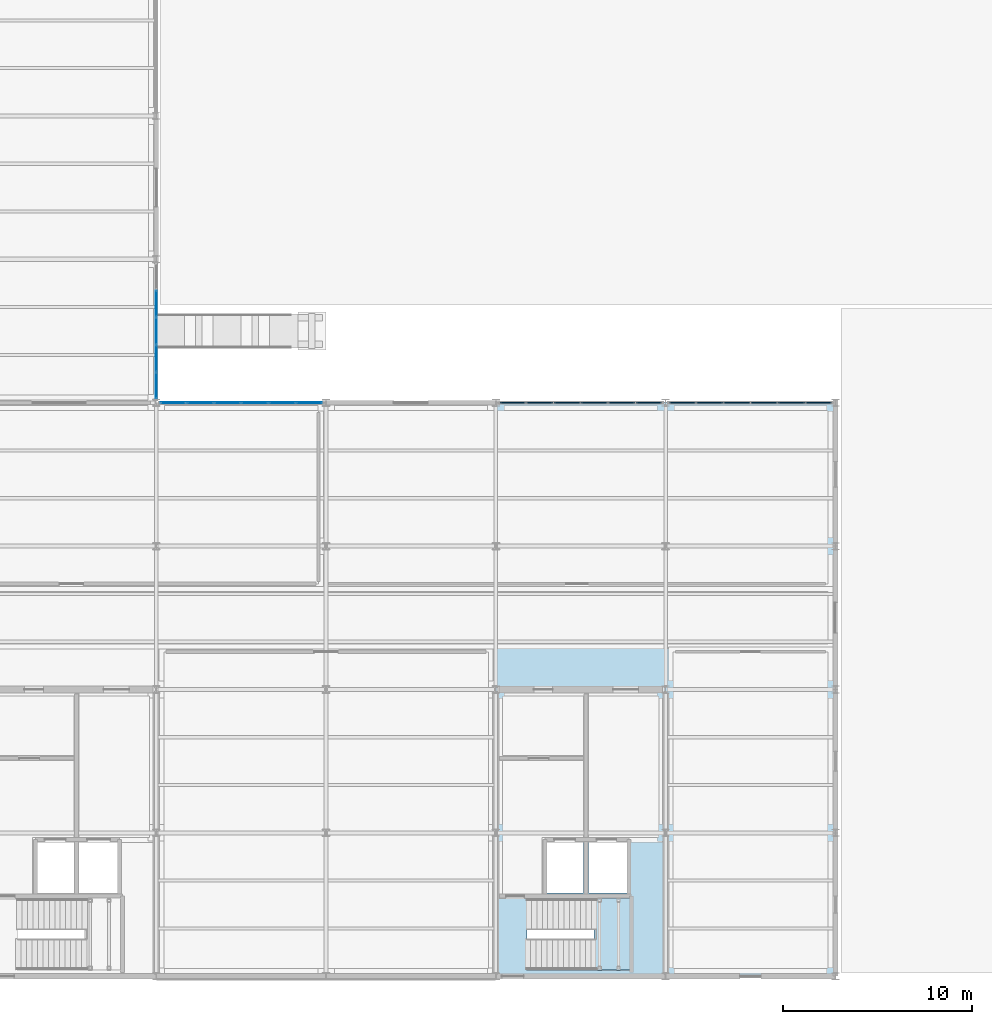
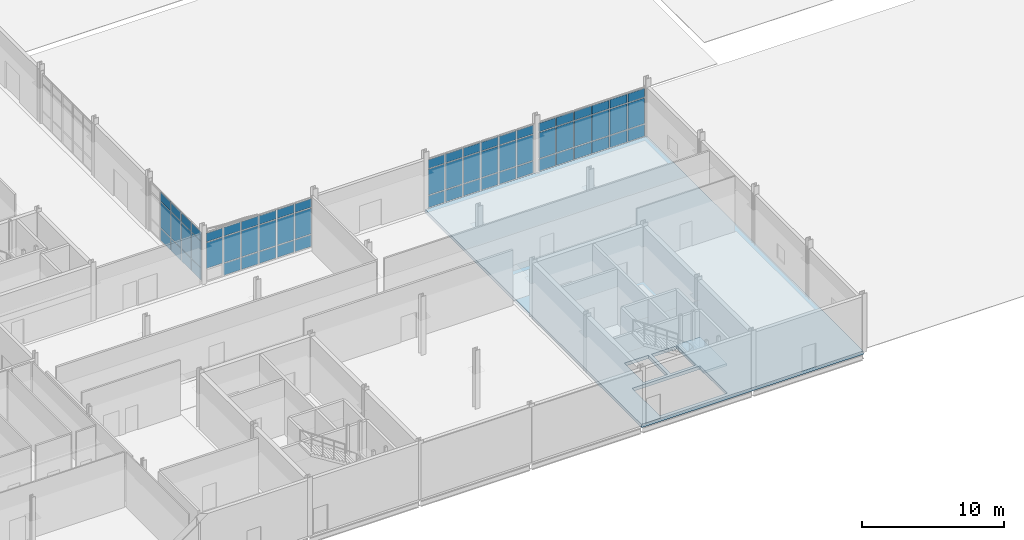
# One storey, part 125 of 161: 65 plates, 2 slabs, 5 elements without a shape of their own.
"""IFC4 building model written with IfcOpenShell, lengths in metres."""

from ifc_helpers import new_model, si_unit, direction, frame, origin, origin_2d, place, context, subcontext, project, spatial, polyline, rectangle, outline, extrude, material, layer, layer_set, type_object, element, aggregate, save


model = new_model("IFC4")

# Units and contexts
model_context = context("Model", 3, precision=1e-05, world=origin(), true_north=direction((0.0, 1.0)))
body_context = subcontext(model_context, "Body", "Model", "MODEL_VIEW")
ifc_project = project(units=[si_unit("LENGTHUNIT", "METRE"), si_unit("AREAUNIT", "SQUARE_METRE"), si_unit("VOLUMEUNIT", "CUBIC_METRE"), si_unit("PLANEANGLEUNIT", "RADIAN"), si_unit("MASSUNIT", "GRAM", prefix="KILO")], contexts=[model_context])

# Site, building, storey
site_placement = place(None, origin())
site = spatial("IfcSite", under=ifc_project, at=site_placement, CompositionType="ELEMENT")
building_placement = place(site_placement, origin())
building = spatial("IfcBuilding", under=site, at=building_placement, Name="Caisbarro Railhouse Central Library", CompositionType="ELEMENT")
storey_placement = place(building_placement, origin())
storey = spatial("IfcBuildingStorey", under=building, at=storey_placement, Name="L00", CompositionType="ELEMENT", Elevation=0.0)

# Curtain wall, plates
ifc_material_1 = material(Name="Anodised architectural aluminium", Category="aluminium")
curtain_wall_type_1 = type_object("IfcCurtainWallType", Name="CW-CW01", PredefinedType="NOTDEFINED", material=ifc_material_1)
curtain_wall_1_placement = place(storey_placement, origin())
curtain_wall_1 = element("IfcCurtainWall", 1, at=curtain_wall_1_placement, inside=storey, type_object=curtain_wall_type_1, Name="CW01 curtain wall L00 #23", PredefinedType="NOTDEFINED")
ifc_material_2 = material(Name="Double low-e laminated solar-control glass", Category="glass")
ifc_layer_1 = layer(ifc_material_2, 0.0380859375, Name="Double low-e laminated solar-control glass")
ifc_layer_set_1 = layer_set([ifc_layer_1], Name="Double low-e laminated solar-control glass")
plate_type_1 = type_object("IfcPlateType", Name="CWP-CP38", PredefinedType="CURTAIN_PANEL", material=ifc_layer_set_1)
plate_1_placement = place(storey_placement, frame((72.0, 31.306640625, 0.06494140625), z_axis=(0.0, 0.0, 1.0), x_axis=(0.0, 1.0, 0.0)))
plate_1 = element("IfcPlate", 2, at=plate_1_placement, type_object=plate_type_1, Name="CW01 panel 1.1", PredefinedType="CURTAIN_PANEL", context=body_context, shape_type="SweptSolid", body=[
    extrude(rectangle(XDim=1.343505859375, YDim=0.0380859375, at=origin_2d()), origin(), (0.0, 0.0, 1.0), 1.0224609375),
])
plate_2_placement = place(storey_placement, frame((72.0, 31.306640625, 1.15234375), z_axis=(0.0, 0.0, 1.0), x_axis=(0.0, 1.0, 0.0)))
plate_2 = element("IfcPlate", 3, at=plate_2_placement, type_object=plate_type_1, Name="CW01 panel 1.2", PredefinedType="CURTAIN_PANEL", context=body_context, shape_type="SweptSolid", body=[
    extrude(rectangle(XDim=1.343505859375, YDim=0.0380859375, at=origin_2d()), origin(), (0.0, 0.0, 1.0), 2.215087890625),
])
plate_3_placement = place(storey_placement, frame((72.0, 31.306640625, 3.4326171875), z_axis=(0.0, 0.0, 1.0), x_axis=(0.0, 1.0, 0.0)))
plate_3 = element("IfcPlate", 4, at=plate_3_placement, type_object=plate_type_1, Name="CW01 panel 1.3", PredefinedType="CURTAIN_PANEL", context=body_context, shape_type="SweptSolid", body=[
    extrude(rectangle(XDim=1.343505859375, YDim=0.0380859375, at=origin_2d()), origin(), (0.0, 0.0, 1.0), 0.75244140625),
])
plate_4_placement = place(storey_placement, frame((72.0, 32.743896484375, 0.06494140625), z_axis=(0.0, 0.0, 1.0), x_axis=(0.0, 1.0, 0.0)))
plate_4 = element("IfcPlate", 5, at=plate_4_placement, type_object=plate_type_1, Name="CW01 panel 2.1", PredefinedType="CURTAIN_PANEL", context=body_context, shape_type="SweptSolid", body=[
    extrude(rectangle(XDim=1.381103515625, YDim=0.0380859375, at=origin_2d()), origin(), (0.0, 0.0, 1.0), 1.0224609375),
])
plate_5_placement = place(storey_placement, frame((72.0, 32.743896484375, 1.15234375), z_axis=(0.0, 0.0, 1.0), x_axis=(0.0, 1.0, 0.0)))
plate_5 = element("IfcPlate", 6, at=plate_5_placement, type_object=plate_type_1, Name="CW01 panel 2.2", PredefinedType="CURTAIN_PANEL", context=body_context, shape_type="SweptSolid", body=[
    extrude(rectangle(XDim=1.381103515625, YDim=0.0380859375, at=origin_2d()), origin(), (0.0, 0.0, 1.0), 2.215087890625),
])
plate_6_placement = place(storey_placement, frame((72.0, 32.743896484375, 3.4326171875), z_axis=(0.0, 0.0, 1.0), x_axis=(0.0, 1.0, 0.0)))
plate_6 = element("IfcPlate", 7, at=plate_6_placement, type_object=plate_type_1, Name="CW01 panel 2.3", PredefinedType="CURTAIN_PANEL", context=body_context, shape_type="SweptSolid", body=[
    extrude(rectangle(XDim=1.381103515625, YDim=0.0380859375, at=origin_2d()), origin(), (0.0, 0.0, 1.0), 0.75244140625),
])
plate_7_placement = place(storey_placement, frame((72.0, 34.199951171875, 0.06494140625), z_axis=(0.0, 0.0, 1.0), x_axis=(0.0, 1.0, 0.0)))
plate_7 = element("IfcPlate", 8, at=plate_7_placement, type_object=plate_type_1, Name="CW01 panel 3.1", PredefinedType="CURTAIN_PANEL", context=body_context, shape_type="SweptSolid", body=[
    extrude(rectangle(XDim=1.381103515625, YDim=0.0380859375, at=origin_2d()), origin(), (0.0, 0.0, 1.0), 1.0224609375),
])
plate_8_placement = place(storey_placement, frame((72.0, 34.199951171875, 1.15234375), z_axis=(0.0, 0.0, 1.0), x_axis=(0.0, 1.0, 0.0)))
plate_8 = element("IfcPlate", 9, at=plate_8_placement, type_object=plate_type_1, Name="CW01 panel 3.2", PredefinedType="CURTAIN_PANEL", context=body_context, shape_type="SweptSolid", body=[
    extrude(rectangle(XDim=1.381103515625, YDim=0.0380859375, at=origin_2d()), origin(), (0.0, 0.0, 1.0), 2.215087890625),
])
plate_9_placement = place(storey_placement, frame((72.0, 34.199951171875, 3.4326171875), z_axis=(0.0, 0.0, 1.0), x_axis=(0.0, 1.0, 0.0)))
plate_9 = element("IfcPlate", 10, at=plate_9_placement, type_object=plate_type_1, Name="CW01 panel 3.3", PredefinedType="CURTAIN_PANEL", context=body_context, shape_type="SweptSolid", body=[
    extrude(rectangle(XDim=1.381103515625, YDim=0.0380859375, at=origin_2d()), origin(), (0.0, 0.0, 1.0), 0.75244140625),
])
plate_10_placement = place(storey_placement, frame((72.0, 35.656005859375, 0.06494140625), z_axis=(0.0, 0.0, 1.0), x_axis=(0.0, 1.0, 0.0)))
plate_10 = element("IfcPlate", 11, at=plate_10_placement, type_object=plate_type_1, Name="CW01 panel 4.1", PredefinedType="CURTAIN_PANEL", context=body_context, shape_type="SweptSolid", body=[
    extrude(rectangle(XDim=1.381103515625, YDim=0.0380859375, at=origin_2d()), origin(), (0.0, 0.0, 1.0), 1.0224609375),
])
plate_11_placement = place(storey_placement, frame((72.0, 35.656005859375, 1.15234375), z_axis=(0.0, 0.0, 1.0), x_axis=(0.0, 1.0, 0.0)))
plate_11 = element("IfcPlate", 12, at=plate_11_placement, type_object=plate_type_1, Name="CW01 panel 4.2", PredefinedType="CURTAIN_PANEL", context=body_context, shape_type="SweptSolid", body=[
    extrude(rectangle(XDim=1.381103515625, YDim=0.0380859375, at=origin_2d()), origin(), (0.0, 0.0, 1.0), 2.215087890625),
])
plate_12_placement = place(storey_placement, frame((72.0, 35.656005859375, 3.4326171875), z_axis=(0.0, 0.0, 1.0), x_axis=(0.0, 1.0, 0.0)))
plate_12 = element("IfcPlate", 13, at=plate_12_placement, type_object=plate_type_1, Name="CW01 panel 4.3", PredefinedType="CURTAIN_PANEL", context=body_context, shape_type="SweptSolid", body=[
    extrude(rectangle(XDim=1.381103515625, YDim=0.0380859375, at=origin_2d()), origin(), (0.0, 0.0, 1.0), 0.75244140625),
])
aggregate(curtain_wall_1, [plate_1, plate_2, plate_3, plate_4, plate_5, plate_6, plate_7, plate_8, plate_9, plate_10, plate_11, plate_12])

curtain_wall_type_2 = type_object("IfcCurtainWallType", Name="CW-CW02", PredefinedType="NOTDEFINED", material=ifc_material_1)
curtain_wall_2_placement = place(storey_placement, origin())
curtain_wall_2 = element("IfcCurtainWall", 14, at=curtain_wall_2_placement, inside=storey, type_object=curtain_wall_type_2, Name="CW02 curtain wall L00 #51", PredefinedType="NOTDEFINED")
plate_13_placement = place(storey_placement, frame((72.902099609375, 30.39990234375, 1.157470703125), z_axis=(0.0, 0.0, 1.0), x_axis=(1.0, 0.0, 0.0)))
plate_13 = element("IfcPlate", 15, at=plate_13_placement, type_object=plate_type_1, Name="CW02 panel 1.2", PredefinedType="CURTAIN_PANEL", context=body_context, shape_type="SweptSolid", body=[
    extrude(rectangle(XDim=1.334228515625, YDim=0.0380859375, at=origin_2d()), origin(), (0.0, 0.0, 1.0), 2.205078125),
])
plate_14_placement = place(storey_placement, frame((72.902099609375, 30.39990234375, 3.4375), z_axis=(0.0, 0.0, 1.0), x_axis=(1.0, 0.0, 0.0)))
plate_14 = element("IfcPlate", 16, at=plate_14_placement, type_object=plate_type_1, Name="CW02 panel 1.3", PredefinedType="CURTAIN_PANEL", context=body_context, shape_type="SweptSolid", body=[
    extrude(rectangle(XDim=1.334228515625, YDim=0.0380859375, at=origin_2d()), origin(), (0.0, 0.0, 1.0), 0.737548828125),
])
plate_15_placement = place(storey_placement, frame((74.330078125, 30.39990234375, 0.0751953125), z_axis=(0.0, 0.0, 1.0), x_axis=(1.0, 0.0, 0.0)))
plate_15 = element("IfcPlate", 17, at=plate_15_placement, type_object=plate_type_1, Name="CW02 panel 2.1", PredefinedType="CURTAIN_PANEL", context=body_context, shape_type="SweptSolid", body=[
    extrude(rectangle(XDim=1.37158203125, YDim=0.0380859375, at=origin_2d()), origin(), (0.0, 0.0, 1.0), 1.007568359375),
])
plate_16_placement = place(storey_placement, frame((74.330078125, 30.39990234375, 1.157470703125), z_axis=(0.0, 0.0, 1.0), x_axis=(1.0, 0.0, 0.0)))
plate_16 = element("IfcPlate", 18, at=plate_16_placement, type_object=plate_type_1, Name="CW02 panel 2.2", PredefinedType="CURTAIN_PANEL", context=body_context, shape_type="SweptSolid", body=[
    extrude(rectangle(XDim=1.37158203125, YDim=0.0380859375, at=origin_2d()), origin(), (0.0, 0.0, 1.0), 2.205078125),
])
plate_17_placement = place(storey_placement, frame((74.330078125, 30.39990234375, 3.4375), z_axis=(0.0, 0.0, 1.0), x_axis=(1.0, 0.0, 0.0)))
plate_17 = element("IfcPlate", 19, at=plate_17_placement, type_object=plate_type_1, Name="CW02 panel 2.3", PredefinedType="CURTAIN_PANEL", context=body_context, shape_type="SweptSolid", body=[
    extrude(rectangle(XDim=1.37158203125, YDim=0.0380859375, at=origin_2d()), origin(), (0.0, 0.0, 1.0), 0.737548828125),
])
plate_18_placement = place(storey_placement, frame((75.776611328125, 30.39990234375, 0.0751953125), z_axis=(0.0, 0.0, 1.0), x_axis=(1.0, 0.0, 0.0)))
plate_18 = element("IfcPlate", 20, at=plate_18_placement, type_object=plate_type_1, Name="CW02 panel 3.1", PredefinedType="CURTAIN_PANEL", context=body_context, shape_type="SweptSolid", body=[
    extrude(rectangle(XDim=1.37158203125, YDim=0.0380859375, at=origin_2d()), origin(), (0.0, 0.0, 1.0), 1.007568359375),
])
plate_19_placement = place(storey_placement, frame((75.776611328125, 30.39990234375, 1.157470703125), z_axis=(0.0, 0.0, 1.0), x_axis=(1.0, 0.0, 0.0)))
plate_19 = element("IfcPlate", 21, at=plate_19_placement, type_object=plate_type_1, Name="CW02 panel 3.2", PredefinedType="CURTAIN_PANEL", context=body_context, shape_type="SweptSolid", body=[
    extrude(rectangle(XDim=1.37158203125, YDim=0.0380859375, at=origin_2d()), origin(), (0.0, 0.0, 1.0), 2.205078125),
])
plate_20_placement = place(storey_placement, frame((75.776611328125, 30.39990234375, 3.4375), z_axis=(0.0, 0.0, 1.0), x_axis=(1.0, 0.0, 0.0)))
plate_20 = element("IfcPlate", 22, at=plate_20_placement, type_object=plate_type_1, Name="CW02 panel 3.3", PredefinedType="CURTAIN_PANEL", context=body_context, shape_type="SweptSolid", body=[
    extrude(rectangle(XDim=1.37158203125, YDim=0.0380859375, at=origin_2d()), origin(), (0.0, 0.0, 1.0), 0.737548828125),
])
plate_21_placement = place(storey_placement, frame((77.223388671875, 30.39990234375, 0.0751953125), z_axis=(0.0, 0.0, 1.0), x_axis=(1.0, 0.0, 0.0)))
plate_21 = element("IfcPlate", 23, at=plate_21_placement, type_object=plate_type_1, Name="CW02 panel 4.1", PredefinedType="CURTAIN_PANEL", context=body_context, shape_type="SweptSolid", body=[
    extrude(rectangle(XDim=1.37158203125, YDim=0.0380859375, at=origin_2d()), origin(), (0.0, 0.0, 1.0), 1.007568359375),
])
plate_22_placement = place(storey_placement, frame((77.223388671875, 30.39990234375, 1.157470703125), z_axis=(0.0, 0.0, 1.0), x_axis=(1.0, 0.0, 0.0)))
plate_22 = element("IfcPlate", 24, at=plate_22_placement, type_object=plate_type_1, Name="CW02 panel 4.2", PredefinedType="CURTAIN_PANEL", context=body_context, shape_type="SweptSolid", body=[
    extrude(rectangle(XDim=1.37158203125, YDim=0.0380859375, at=origin_2d()), origin(), (0.0, 0.0, 1.0), 2.205078125),
])
plate_23_placement = place(storey_placement, frame((77.223388671875, 30.39990234375, 3.4375), z_axis=(0.0, 0.0, 1.0), x_axis=(1.0, 0.0, 0.0)))
plate_23 = element("IfcPlate", 25, at=plate_23_placement, type_object=plate_type_1, Name="CW02 panel 4.3", PredefinedType="CURTAIN_PANEL", context=body_context, shape_type="SweptSolid", body=[
    extrude(rectangle(XDim=1.37158203125, YDim=0.0380859375, at=origin_2d()), origin(), (0.0, 0.0, 1.0), 0.737548828125),
])
plate_24_placement = place(storey_placement, frame((78.669921875, 30.39990234375, 0.0751953125), z_axis=(0.0, 0.0, 1.0), x_axis=(1.0, 0.0, 0.0)))
plate_24 = element("IfcPlate", 26, at=plate_24_placement, type_object=plate_type_1, Name="CW02 panel 5.1", PredefinedType="CURTAIN_PANEL", context=body_context, shape_type="SweptSolid", body=[
    extrude(rectangle(XDim=1.37158203125, YDim=0.0380859375, at=origin_2d()), origin(), (0.0, 0.0, 1.0), 1.007568359375),
])
plate_25_placement = place(storey_placement, frame((78.669921875, 30.39990234375, 1.157470703125), z_axis=(0.0, 0.0, 1.0), x_axis=(1.0, 0.0, 0.0)))
plate_25 = element("IfcPlate", 27, at=plate_25_placement, type_object=plate_type_1, Name="CW02 panel 5.2", PredefinedType="CURTAIN_PANEL", context=body_context, shape_type="SweptSolid", body=[
    extrude(rectangle(XDim=1.37158203125, YDim=0.0380859375, at=origin_2d()), origin(), (0.0, 0.0, 1.0), 2.205078125),
])
plate_26_placement = place(storey_placement, frame((78.669921875, 30.39990234375, 3.4375), z_axis=(0.0, 0.0, 1.0), x_axis=(1.0, 0.0, 0.0)))
plate_26 = element("IfcPlate", 28, at=plate_26_placement, type_object=plate_type_1, Name="CW02 panel 5.3", PredefinedType="CURTAIN_PANEL", context=body_context, shape_type="SweptSolid", body=[
    extrude(rectangle(XDim=1.37158203125, YDim=0.0380859375, at=origin_2d()), origin(), (0.0, 0.0, 1.0), 0.737548828125),
])
plate_27_placement = place(storey_placement, frame((80.097900390625, 30.39990234375, 0.0751953125), z_axis=(0.0, 0.0, 1.0), x_axis=(1.0, 0.0, 0.0)))
plate_27 = element("IfcPlate", 29, at=plate_27_placement, type_object=plate_type_1, Name="CW02 panel 6.1", PredefinedType="CURTAIN_PANEL", context=body_context, shape_type="SweptSolid", body=[
    extrude(rectangle(XDim=1.334228515625, YDim=0.0380859375, at=origin_2d()), origin(), (0.0, 0.0, 1.0), 1.007568359375),
])
plate_28_placement = place(storey_placement, frame((80.097900390625, 30.39990234375, 1.157470703125), z_axis=(0.0, 0.0, 1.0), x_axis=(1.0, 0.0, 0.0)))
plate_28 = element("IfcPlate", 30, at=plate_28_placement, type_object=plate_type_1, Name="CW02 panel 6.2", PredefinedType="CURTAIN_PANEL", context=body_context, shape_type="SweptSolid", body=[
    extrude(rectangle(XDim=1.334228515625, YDim=0.0380859375, at=origin_2d()), origin(), (0.0, 0.0, 1.0), 2.205078125),
])
plate_29_placement = place(storey_placement, frame((80.097900390625, 30.39990234375, 3.4375), z_axis=(0.0, 0.0, 1.0), x_axis=(1.0, 0.0, 0.0)))
plate_29 = element("IfcPlate", 31, at=plate_29_placement, type_object=plate_type_1, Name="CW02 panel 6.3", PredefinedType="CURTAIN_PANEL", context=body_context, shape_type="SweptSolid", body=[
    extrude(rectangle(XDim=1.334228515625, YDim=0.0380859375, at=origin_2d()), origin(), (0.0, 0.0, 1.0), 0.737548828125),
])
aggregate(curtain_wall_2, [plate_13, plate_14, plate_15, plate_16, plate_17, plate_18, plate_19, plate_20, plate_21, plate_22, plate_23, plate_24, plate_25, plate_26, plate_27, plate_28, plate_29])

curtain_wall_3_placement = place(storey_placement, origin())
curtain_wall_3 = element("IfcCurtainWall", 32, at=curtain_wall_3_placement, inside=storey, type_object=curtain_wall_type_2, Name="CW02 curtain wall L00 #52", PredefinedType="NOTDEFINED")
ifc_layer_2 = layer(ifc_material_2, 0.05810546875, Name="Double low-e laminated solar-control glass")
ifc_layer_set_2 = layer_set([ifc_layer_2], Name="Double low-e laminated solar-control glass")
plate_type_2 = type_object("IfcPlateType", Name="CWP-CP58", PredefinedType="CURTAIN_PANEL", material=ifc_layer_set_2)
plate_30_placement = place(storey_placement, frame((90.902099609375, 30.39990234375, 0.0751953125), z_axis=(0.0, 0.0, 1.0), x_axis=(1.0, 0.0, 0.0)))
plate_30 = element("IfcPlate", 33, at=plate_30_placement, type_object=plate_type_2, Name="CW02 panel 1.1", PredefinedType="CURTAIN_PANEL", context=body_context, shape_type="SweptSolid", body=[
    extrude(rectangle(XDim=1.334228515625, YDim=0.05810546875, at=origin_2d()), origin(), (0.0, 0.0, 1.0), 1.007568359375),
])
plate_31_placement = place(storey_placement, frame((90.902099609375, 30.39990234375, 1.157470703125), z_axis=(0.0, 0.0, 1.0), x_axis=(1.0, 0.0, 0.0)))
plate_31 = element("IfcPlate", 34, at=plate_31_placement, type_object=plate_type_2, Name="CW02 panel 1.2", PredefinedType="CURTAIN_PANEL", context=body_context, shape_type="SweptSolid", body=[
    extrude(rectangle(XDim=1.334228515625, YDim=0.05810546875, at=origin_2d()), origin(), (0.0, 0.0, 1.0), 2.205078125),
])
plate_32_placement = place(storey_placement, frame((90.902099609375, 30.39990234375, 3.4375), z_axis=(0.0, 0.0, 1.0), x_axis=(1.0, 0.0, 0.0)))
plate_32 = element("IfcPlate", 35, at=plate_32_placement, type_object=plate_type_2, Name="CW02 panel 1.3", PredefinedType="CURTAIN_PANEL", context=body_context, shape_type="SweptSolid", body=[
    extrude(rectangle(XDim=1.334228515625, YDim=0.05810546875, at=origin_2d()), origin(), (0.0, 0.0, 1.0), 0.737548828125),
])
plate_33_placement = place(storey_placement, frame((92.330078125, 30.39990234375, 0.0751953125), z_axis=(0.0, 0.0, 1.0), x_axis=(1.0, 0.0, 0.0)))
plate_33 = element("IfcPlate", 36, at=plate_33_placement, type_object=plate_type_2, Name="CW02 panel 2.1", PredefinedType="CURTAIN_PANEL", context=body_context, shape_type="SweptSolid", body=[
    extrude(rectangle(XDim=1.37158203125, YDim=0.05810546875, at=origin_2d()), origin(), (0.0, 0.0, 1.0), 1.007568359375),
])
plate_34_placement = place(storey_placement, frame((92.330078125, 30.39990234375, 1.157470703125), z_axis=(0.0, 0.0, 1.0), x_axis=(1.0, 0.0, 0.0)))
plate_34 = element("IfcPlate", 37, at=plate_34_placement, type_object=plate_type_2, Name="CW02 panel 2.2", PredefinedType="CURTAIN_PANEL", context=body_context, shape_type="SweptSolid", body=[
    extrude(rectangle(XDim=1.37158203125, YDim=0.05810546875, at=origin_2d()), origin(), (0.0, 0.0, 1.0), 2.205078125),
])
plate_35_placement = place(storey_placement, frame((92.330078125, 30.39990234375, 3.4375), z_axis=(0.0, 0.0, 1.0), x_axis=(1.0, 0.0, 0.0)))
plate_35 = element("IfcPlate", 38, at=plate_35_placement, type_object=plate_type_2, Name="CW02 panel 2.3", PredefinedType="CURTAIN_PANEL", context=body_context, shape_type="SweptSolid", body=[
    extrude(rectangle(XDim=1.37158203125, YDim=0.05810546875, at=origin_2d()), origin(), (0.0, 0.0, 1.0), 0.737548828125),
])
plate_36_placement = place(storey_placement, frame((93.776611328125, 30.39990234375, 0.0751953125), z_axis=(0.0, 0.0, 1.0), x_axis=(1.0, 0.0, 0.0)))
plate_36 = element("IfcPlate", 39, at=plate_36_placement, type_object=plate_type_2, Name="CW02 panel 3.1", PredefinedType="CURTAIN_PANEL", context=body_context, shape_type="SweptSolid", body=[
    extrude(rectangle(XDim=1.37158203125, YDim=0.05810546875, at=origin_2d()), origin(), (0.0, 0.0, 1.0), 1.007568359375),
])
plate_37_placement = place(storey_placement, frame((93.776611328125, 30.39990234375, 1.157470703125), z_axis=(0.0, 0.0, 1.0), x_axis=(1.0, 0.0, 0.0)))
plate_37 = element("IfcPlate", 40, at=plate_37_placement, type_object=plate_type_2, Name="CW02 panel 3.2", PredefinedType="CURTAIN_PANEL", context=body_context, shape_type="SweptSolid", body=[
    extrude(rectangle(XDim=1.37158203125, YDim=0.05810546875, at=origin_2d()), origin(), (0.0, 0.0, 1.0), 2.205078125),
])
plate_38_placement = place(storey_placement, frame((93.776611328125, 30.39990234375, 3.4375), z_axis=(0.0, 0.0, 1.0), x_axis=(1.0, 0.0, 0.0)))
plate_38 = element("IfcPlate", 41, at=plate_38_placement, type_object=plate_type_2, Name="CW02 panel 3.3", PredefinedType="CURTAIN_PANEL", context=body_context, shape_type="SweptSolid", body=[
    extrude(rectangle(XDim=1.37158203125, YDim=0.05810546875, at=origin_2d()), origin(), (0.0, 0.0, 1.0), 0.737548828125),
])
plate_39_placement = place(storey_placement, frame((95.223388671875, 30.39990234375, 0.0751953125), z_axis=(0.0, 0.0, 1.0), x_axis=(1.0, 0.0, 0.0)))
plate_39 = element("IfcPlate", 42, at=plate_39_placement, type_object=plate_type_2, Name="CW02 panel 4.1", PredefinedType="CURTAIN_PANEL", context=body_context, shape_type="SweptSolid", body=[
    extrude(rectangle(XDim=1.37158203125, YDim=0.05810546875, at=origin_2d()), origin(), (0.0, 0.0, 1.0), 1.007568359375),
])
plate_40_placement = place(storey_placement, frame((95.223388671875, 30.39990234375, 1.157470703125), z_axis=(0.0, 0.0, 1.0), x_axis=(1.0, 0.0, 0.0)))
plate_40 = element("IfcPlate", 43, at=plate_40_placement, type_object=plate_type_2, Name="CW02 panel 4.2", PredefinedType="CURTAIN_PANEL", context=body_context, shape_type="SweptSolid", body=[
    extrude(rectangle(XDim=1.37158203125, YDim=0.05810546875, at=origin_2d()), origin(), (0.0, 0.0, 1.0), 2.205078125),
])
plate_41_placement = place(storey_placement, frame((95.223388671875, 30.39990234375, 3.4375), z_axis=(0.0, 0.0, 1.0), x_axis=(1.0, 0.0, 0.0)))
plate_41 = element("IfcPlate", 44, at=plate_41_placement, type_object=plate_type_2, Name="CW02 panel 4.3", PredefinedType="CURTAIN_PANEL", context=body_context, shape_type="SweptSolid", body=[
    extrude(rectangle(XDim=1.37158203125, YDim=0.05810546875, at=origin_2d()), origin(), (0.0, 0.0, 1.0), 0.737548828125),
])
plate_42_placement = place(storey_placement, frame((96.669921875, 30.39990234375, 0.0751953125), z_axis=(0.0, 0.0, 1.0), x_axis=(1.0, 0.0, 0.0)))
plate_42 = element("IfcPlate", 45, at=plate_42_placement, type_object=plate_type_2, Name="CW02 panel 5.1", PredefinedType="CURTAIN_PANEL", context=body_context, shape_type="SweptSolid", body=[
    extrude(rectangle(XDim=1.37158203125, YDim=0.05810546875, at=origin_2d()), origin(), (0.0, 0.0, 1.0), 1.007568359375),
])
plate_43_placement = place(storey_placement, frame((96.669921875, 30.39990234375, 1.157470703125), z_axis=(0.0, 0.0, 1.0), x_axis=(1.0, 0.0, 0.0)))
plate_43 = element("IfcPlate", 46, at=plate_43_placement, type_object=plate_type_2, Name="CW02 panel 5.2", PredefinedType="CURTAIN_PANEL", context=body_context, shape_type="SweptSolid", body=[
    extrude(rectangle(XDim=1.37158203125, YDim=0.05810546875, at=origin_2d()), origin(), (0.0, 0.0, 1.0), 2.205078125),
])
plate_44_placement = place(storey_placement, frame((96.669921875, 30.39990234375, 3.4375), z_axis=(0.0, 0.0, 1.0), x_axis=(1.0, 0.0, 0.0)))
plate_44 = element("IfcPlate", 47, at=plate_44_placement, type_object=plate_type_2, Name="CW02 panel 5.3", PredefinedType="CURTAIN_PANEL", context=body_context, shape_type="SweptSolid", body=[
    extrude(rectangle(XDim=1.37158203125, YDim=0.05810546875, at=origin_2d()), origin(), (0.0, 0.0, 1.0), 0.737548828125),
])
plate_45_placement = place(storey_placement, frame((98.097900390625, 30.39990234375, 0.0751953125), z_axis=(0.0, 0.0, 1.0), x_axis=(1.0, 0.0, 0.0)))
plate_45 = element("IfcPlate", 48, at=plate_45_placement, type_object=plate_type_2, Name="CW02 panel 6.1", PredefinedType="CURTAIN_PANEL", context=body_context, shape_type="SweptSolid", body=[
    extrude(rectangle(XDim=1.334228515625, YDim=0.05810546875, at=origin_2d()), origin(), (0.0, 0.0, 1.0), 1.007568359375),
])
plate_46_placement = place(storey_placement, frame((98.097900390625, 30.39990234375, 1.157470703125), z_axis=(0.0, 0.0, 1.0), x_axis=(1.0, 0.0, 0.0)))
plate_46 = element("IfcPlate", 49, at=plate_46_placement, type_object=plate_type_2, Name="CW02 panel 6.2", PredefinedType="CURTAIN_PANEL", context=body_context, shape_type="SweptSolid", body=[
    extrude(rectangle(XDim=1.334228515625, YDim=0.05810546875, at=origin_2d()), origin(), (0.0, 0.0, 1.0), 2.205078125),
])
plate_47_placement = place(storey_placement, frame((98.097900390625, 30.39990234375, 3.4375), z_axis=(0.0, 0.0, 1.0), x_axis=(1.0, 0.0, 0.0)))
plate_47 = element("IfcPlate", 50, at=plate_47_placement, type_object=plate_type_2, Name="CW02 panel 6.3", PredefinedType="CURTAIN_PANEL", context=body_context, shape_type="SweptSolid", body=[
    extrude(rectangle(XDim=1.334228515625, YDim=0.05810546875, at=origin_2d()), origin(), (0.0, 0.0, 1.0), 0.737548828125),
])
aggregate(curtain_wall_3, [plate_30, plate_31, plate_32, plate_33, plate_34, plate_35, plate_36, plate_37, plate_38, plate_39, plate_40, plate_41, plate_42, plate_43, plate_44, plate_45, plate_46, plate_47])

curtain_wall_4_placement = place(storey_placement, origin())
curtain_wall_4 = element("IfcCurtainWall", 51, at=curtain_wall_4_placement, inside=storey, type_object=curtain_wall_type_2, Name="CW02 curtain wall L00 #53", PredefinedType="NOTDEFINED")
ifc_layer_3 = layer(ifc_material_2, 0.068115234375, Name="Double low-e laminated solar-control glass")
ifc_layer_set_3 = layer_set([ifc_layer_3], Name="Double low-e laminated solar-control glass")
plate_type_3 = type_object("IfcPlateType", Name="CWP-CP68", PredefinedType="CURTAIN_PANEL", material=ifc_layer_set_3)
plate_48_placement = place(storey_placement, frame((99.899658203125, 30.39990234375, 0.0751953125), z_axis=(0.0, 0.0, 1.0), x_axis=(1.0, 0.0, 0.0)))
plate_48 = element("IfcPlate", 52, at=plate_48_placement, type_object=plate_type_3, Name="CW02 panel 1.1", PredefinedType="CURTAIN_PANEL", context=body_context, shape_type="SweptSolid", body=[
    extrude(rectangle(XDim=1.34912109375, YDim=0.068115234375, at=origin_2d()), origin(), (0.0, 0.0, 1.0), 1.007568359375),
])
plate_49_placement = place(storey_placement, frame((99.899658203125, 30.39990234375, 1.157470703125), z_axis=(0.0, 0.0, 1.0), x_axis=(1.0, 0.0, 0.0)))
plate_49 = element("IfcPlate", 53, at=plate_49_placement, type_object=plate_type_3, Name="CW02 panel 1.2", PredefinedType="CURTAIN_PANEL", context=body_context, shape_type="SweptSolid", body=[
    extrude(rectangle(XDim=1.34912109375, YDim=0.068115234375, at=origin_2d()), origin(), (0.0, 0.0, 1.0), 2.205078125),
])
plate_50_placement = place(storey_placement, frame((99.899658203125, 30.39990234375, 3.4375), z_axis=(0.0, 0.0, 1.0), x_axis=(1.0, 0.0, 0.0)))
plate_50 = element("IfcPlate", 54, at=plate_50_placement, type_object=plate_type_3, Name="CW02 panel 1.3", PredefinedType="CURTAIN_PANEL", context=body_context, shape_type="SweptSolid", body=[
    extrude(rectangle(XDim=1.34912109375, YDim=0.068115234375, at=origin_2d()), origin(), (0.0, 0.0, 1.0), 0.737548828125),
])
plate_51_placement = place(storey_placement, frame((101.330078125, 30.39990234375, 0.0751953125), z_axis=(0.0, 0.0, 1.0), x_axis=(1.0, 0.0, 0.0)))
plate_51 = element("IfcPlate", 55, at=plate_51_placement, type_object=plate_type_3, Name="CW02 panel 2.1", PredefinedType="CURTAIN_PANEL", context=body_context, shape_type="SweptSolid", body=[
    extrude(rectangle(XDim=1.381591796875, YDim=0.068115234375, at=origin_2d()), origin(), (0.0, 0.0, 1.0), 1.007568359375),
])
plate_52_placement = place(storey_placement, frame((101.330078125, 30.39990234375, 1.157470703125), z_axis=(0.0, 0.0, 1.0), x_axis=(1.0, 0.0, 0.0)))
plate_52 = element("IfcPlate", 56, at=plate_52_placement, type_object=plate_type_3, Name="CW02 panel 2.2", PredefinedType="CURTAIN_PANEL", context=body_context, shape_type="SweptSolid", body=[
    extrude(rectangle(XDim=1.381591796875, YDim=0.068115234375, at=origin_2d()), origin(), (0.0, 0.0, 1.0), 2.205078125),
])
plate_53_placement = place(storey_placement, frame((101.330078125, 30.39990234375, 3.4375), z_axis=(0.0, 0.0, 1.0), x_axis=(1.0, 0.0, 0.0)))
plate_53 = element("IfcPlate", 57, at=plate_53_placement, type_object=plate_type_3, Name="CW02 panel 2.3", PredefinedType="CURTAIN_PANEL", context=body_context, shape_type="SweptSolid", body=[
    extrude(rectangle(XDim=1.381591796875, YDim=0.068115234375, at=origin_2d()), origin(), (0.0, 0.0, 1.0), 0.737548828125),
])
plate_54_placement = place(storey_placement, frame((102.776611328125, 30.39990234375, 0.0751953125), z_axis=(0.0, 0.0, 1.0), x_axis=(1.0, 0.0, 0.0)))
plate_54 = element("IfcPlate", 58, at=plate_54_placement, type_object=plate_type_3, Name="CW02 panel 3.1", PredefinedType="CURTAIN_PANEL", context=body_context, shape_type="SweptSolid", body=[
    extrude(rectangle(XDim=1.381591796875, YDim=0.068115234375, at=origin_2d()), origin(), (0.0, 0.0, 1.0), 1.007568359375),
])
plate_55_placement = place(storey_placement, frame((102.776611328125, 30.39990234375, 1.157470703125), z_axis=(0.0, 0.0, 1.0), x_axis=(1.0, 0.0, 0.0)))
plate_55 = element("IfcPlate", 59, at=plate_55_placement, type_object=plate_type_3, Name="CW02 panel 3.2", PredefinedType="CURTAIN_PANEL", context=body_context, shape_type="SweptSolid", body=[
    extrude(rectangle(XDim=1.381591796875, YDim=0.068115234375, at=origin_2d()), origin(), (0.0, 0.0, 1.0), 2.205078125),
])
plate_56_placement = place(storey_placement, frame((102.776611328125, 30.39990234375, 3.4375), z_axis=(0.0, 0.0, 1.0), x_axis=(1.0, 0.0, 0.0)))
plate_56 = element("IfcPlate", 60, at=plate_56_placement, type_object=plate_type_3, Name="CW02 panel 3.3", PredefinedType="CURTAIN_PANEL", context=body_context, shape_type="SweptSolid", body=[
    extrude(rectangle(XDim=1.381591796875, YDim=0.068115234375, at=origin_2d()), origin(), (0.0, 0.0, 1.0), 0.737548828125),
])
plate_57_placement = place(storey_placement, frame((104.223388671875, 30.39990234375, 0.0751953125), z_axis=(0.0, 0.0, 1.0), x_axis=(1.0, 0.0, 0.0)))
plate_57 = element("IfcPlate", 61, at=plate_57_placement, type_object=plate_type_3, Name="CW02 panel 4.1", PredefinedType="CURTAIN_PANEL", context=body_context, shape_type="SweptSolid", body=[
    extrude(rectangle(XDim=1.381591796875, YDim=0.068115234375, at=origin_2d()), origin(), (0.0, 0.0, 1.0), 1.007568359375),
])
plate_58_placement = place(storey_placement, frame((104.223388671875, 30.39990234375, 1.157470703125), z_axis=(0.0, 0.0, 1.0), x_axis=(1.0, 0.0, 0.0)))
plate_58 = element("IfcPlate", 62, at=plate_58_placement, type_object=plate_type_3, Name="CW02 panel 4.2", PredefinedType="CURTAIN_PANEL", context=body_context, shape_type="SweptSolid", body=[
    extrude(rectangle(XDim=1.381591796875, YDim=0.068115234375, at=origin_2d()), origin(), (0.0, 0.0, 1.0), 2.205078125),
])
plate_59_placement = place(storey_placement, frame((104.223388671875, 30.39990234375, 3.4375), z_axis=(0.0, 0.0, 1.0), x_axis=(1.0, 0.0, 0.0)))
plate_59 = element("IfcPlate", 63, at=plate_59_placement, type_object=plate_type_3, Name="CW02 panel 4.3", PredefinedType="CURTAIN_PANEL", context=body_context, shape_type="SweptSolid", body=[
    extrude(rectangle(XDim=1.381591796875, YDim=0.068115234375, at=origin_2d()), origin(), (0.0, 0.0, 1.0), 0.737548828125),
])
plate_60_placement = place(storey_placement, frame((105.669921875, 30.39990234375, 0.0751953125), z_axis=(0.0, 0.0, 1.0), x_axis=(1.0, 0.0, 0.0)))
plate_60 = element("IfcPlate", 64, at=plate_60_placement, type_object=plate_type_3, Name="CW02 panel 5.1", PredefinedType="CURTAIN_PANEL", context=body_context, shape_type="SweptSolid", body=[
    extrude(rectangle(XDim=1.381591796875, YDim=0.068115234375, at=origin_2d()), origin(), (0.0, 0.0, 1.0), 1.007568359375),
])
plate_61_placement = place(storey_placement, frame((105.669921875, 30.39990234375, 1.157470703125), z_axis=(0.0, 0.0, 1.0), x_axis=(1.0, 0.0, 0.0)))
plate_61 = element("IfcPlate", 65, at=plate_61_placement, type_object=plate_type_3, Name="CW02 panel 5.2", PredefinedType="CURTAIN_PANEL", context=body_context, shape_type="SweptSolid", body=[
    extrude(rectangle(XDim=1.381591796875, YDim=0.068115234375, at=origin_2d()), origin(), (0.0, 0.0, 1.0), 2.205078125),
])
plate_62_placement = place(storey_placement, frame((105.669921875, 30.39990234375, 3.4375), z_axis=(0.0, 0.0, 1.0), x_axis=(1.0, 0.0, 0.0)))
plate_62 = element("IfcPlate", 66, at=plate_62_placement, type_object=plate_type_3, Name="CW02 panel 5.3", PredefinedType="CURTAIN_PANEL", context=body_context, shape_type="SweptSolid", body=[
    extrude(rectangle(XDim=1.381591796875, YDim=0.068115234375, at=origin_2d()), origin(), (0.0, 0.0, 1.0), 0.737548828125),
])
plate_63_placement = place(storey_placement, frame((107.100341796875, 30.39990234375, 0.0751953125), z_axis=(0.0, 0.0, 1.0), x_axis=(1.0, 0.0, 0.0)))
plate_63 = element("IfcPlate", 67, at=plate_63_placement, type_object=plate_type_3, Name="CW02 panel 6.1", PredefinedType="CURTAIN_PANEL", context=body_context, shape_type="SweptSolid", body=[
    extrude(rectangle(XDim=1.34912109375, YDim=0.068115234375, at=origin_2d()), origin(), (0.0, 0.0, 1.0), 1.007568359375),
])
plate_64_placement = place(storey_placement, frame((107.100341796875, 30.39990234375, 1.157470703125), z_axis=(0.0, 0.0, 1.0), x_axis=(1.0, 0.0, 0.0)))
plate_64 = element("IfcPlate", 68, at=plate_64_placement, type_object=plate_type_3, Name="CW02 panel 6.2", PredefinedType="CURTAIN_PANEL", context=body_context, shape_type="SweptSolid", body=[
    extrude(rectangle(XDim=1.34912109375, YDim=0.068115234375, at=origin_2d()), origin(), (0.0, 0.0, 1.0), 2.205078125),
])
plate_65_placement = place(storey_placement, frame((107.100341796875, 30.39990234375, 3.4375), z_axis=(0.0, 0.0, 1.0), x_axis=(1.0, 0.0, 0.0)))
plate_65 = element("IfcPlate", 69, at=plate_65_placement, type_object=plate_type_3, Name="CW02 panel 6.3", PredefinedType="CURTAIN_PANEL", context=body_context, shape_type="SweptSolid", body=[
    extrude(rectangle(XDim=1.34912109375, YDim=0.068115234375, at=origin_2d()), origin(), (0.0, 0.0, 1.0), 0.737548828125),
])
aggregate(curtain_wall_4, [plate_48, plate_49, plate_50, plate_51, plate_52, plate_53, plate_54, plate_55, plate_56, plate_57, plate_58, plate_59, plate_60, plate_61, plate_62, plate_63, plate_64, plate_65])

# Slab
ifc_material_3 = material(Name="Concrete C35", Category="concrete")
ifc_layer_4 = layer(ifc_material_3, 0.280029296875, Name="Concrete C35")
ifc_layer_set_4 = layer_set([ifc_layer_4], Name="Concrete C35")
slab_type_1 = type_object("IfcSlabType", Name="SLB-BS28", PredefinedType="BASESLAB", material=ifc_layer_set_4)
slab_1_placement = place(storey_placement, frame((0.0, 0.0, -0.280029296875)))
element("IfcSlab", 70, at=slab_1_placement, inside=storey, type_object=slab_type_1, Name="SB28 structural slab L00 V5.3", PredefinedType="BASESLAB", context=body_context, shape_type="SweptSolid", body=[
    extrude(outline(polyline([(90.0, 0.0), (108.0, 0.0), (108.0, 30.39990234375), (90.0, 30.39990234375), (90.0, 0.0)]), holes=[polyline([(91.64990234375, 0.300048828125), (97.14990234375, 0.300048828125), (97.14990234375, 4.14990234375), (91.64990234375, 4.14990234375), (91.64990234375, 0.300048828125)]), polyline([(92.699951171875, 4.39990234375), (94.64990234375, 4.39990234375), (94.64990234375, 7.10009765625), (92.699951171875, 7.10009765625), (92.699951171875, 4.39990234375)]), polyline([(94.89990234375, 4.39990234375), (96.949951171875, 4.39990234375), (96.949951171875, 7.10009765625), (94.89990234375, 7.10009765625), (94.89990234375, 4.39990234375)])]), origin(), (0.0, 0.0, 1.0), 0.280029296875),
])

# Stair, slab
stair_type = type_object("IfcStairType", Name="STR-ST50", PredefinedType="HALF_TURN_STAIR", material=ifc_material_3)
stair_placement = place(storey_placement, origin())
stair = element("IfcStair", 71, at=stair_placement, inside=storey, type_object=stair_type, Name="Protected Stair ST-02 (L00)", PredefinedType="HALF_TURN_STAIR")
ifc_layer_5 = layer(ifc_material_3, 0.18994140625, Name="Concrete C35")
ifc_layer_set_5 = layer_set([ifc_layer_5], Name="Concrete C35")
slab_type_2 = type_object("IfcSlabType", Name="SLB-LND19", PredefinedType="LANDING", material=ifc_layer_set_5)
slab_2_placement = place(storey_placement, frame((0.0, 0.0, 2.330078125)))
slab_2 = element("IfcSlab", 72, at=slab_2_placement, type_object=slab_type_2, Name="ST-02 landing 1", PredefinedType="LANDING", context=body_context, shape_type="SweptSolid", body=[
    extrude(outline(polyline([(95.199951171875, 0.340087890625), (97.1201171875, 0.340087890625), (97.1201171875, 4.110107421875), (95.199951171875, 4.110107421875), (95.199951171875, 0.340087890625)])), origin(), (0.0, 0.0, 1.0), 0.18994140625),
])
aggregate(stair, [slab_2])

save(model, "model.ifc")
